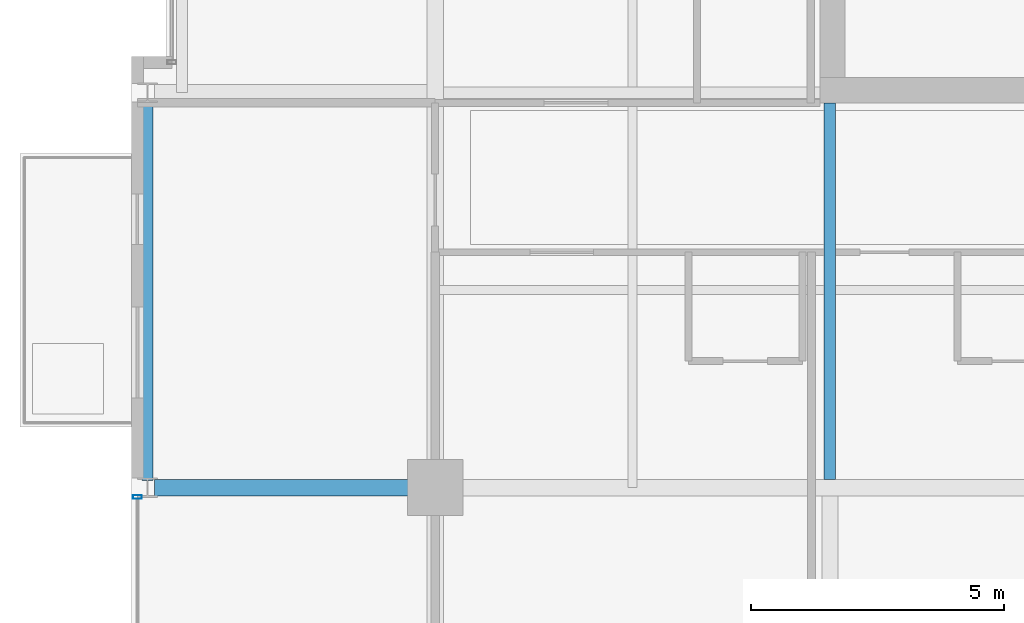
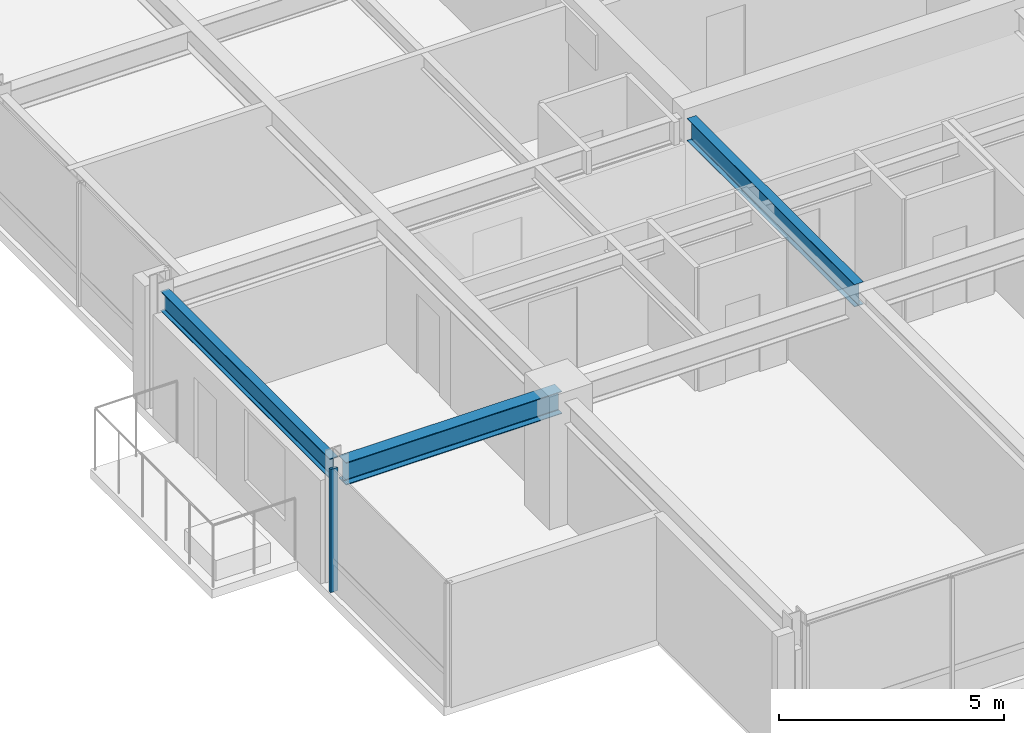
# One storey, part 4 of 31: 3 beams, 1 member, 1 element without a shape of its own.
"""IFC4 building model written with IfcOpenShell, lengths in metres."""

from ifc_helpers import new_model, si_unit, direction, frame, origin, origin_2d, place, context, subcontext, project, spatial, hollow_rectangle, i_section, extrude, material, layer, layer_set, material_profile, profile_set, type_object, element, aggregate, save


model = new_model("IFC4")

# Units and contexts
model_context = context("Model", 3, precision=1e-05, world=origin(), true_north=direction((0.0, 1.0)))
body_context = subcontext(model_context, "Body", "Model", "MODEL_VIEW")
ifc_project = project(units=[si_unit("LENGTHUNIT", "METRE"), si_unit("AREAUNIT", "SQUARE_METRE"), si_unit("VOLUMEUNIT", "CUBIC_METRE"), si_unit("PLANEANGLEUNIT", "RADIAN"), si_unit("MASSUNIT", "GRAM", prefix="KILO")], contexts=[model_context])

# Site, building, storey
site_placement = place(None, origin())
site = spatial("IfcSite", under=ifc_project, at=site_placement, CompositionType="ELEMENT")
building_placement = place(site_placement, origin())
building = spatial("IfcBuilding", under=site, at=building_placement, Name="Drelvath Grand Hotel", CompositionType="ELEMENT")
storey_placement = place(building_placement, frame((0.0, 0.0, 230.300048828125)))
storey = spatial("IfcBuildingStorey", under=building, at=storey_placement, Name="L60", CompositionType="ELEMENT", Elevation=230.300048828125)

# Curtain wall, member
ifc_material_1 = material(Name="Platinum-Mist Anodised Aluminium Frame", Category="aluminium")
ifc_layer = layer(ifc_material_1, 0.199951171875)
ifc_layer_set = layer_set([ifc_layer], Name="Platinum-Mist Anodised Aluminium Frame")
curtain_wall_type = type_object("IfcCurtainWallType", Name="Stick Curtain Wall CW-05 Platinum Mist High-Rise", PredefinedType="NOTDEFINED", material=ifc_layer_set)
curtain_wall_placement = place(storey_placement, origin())
curtain_wall = element("IfcCurtainWall", 1, at=curtain_wall_placement, inside=storey, type_object=curtain_wall_type, Name="L60 CW-05 Curtain Wall CW05-L60-WS1", PredefinedType="NOTDEFINED")
ifc_material_profile_1 = material_profile(ifc_material_1, hollow_rectangle(XDim=0.074951171875, YDim=0.179931640625, WallThickness=0.0048828125, at=origin_2d()), Name="HSS180X75X5")
ifc_profile_set_1 = profile_set([ifc_material_profile_1], Name="Platinum-Mist Anodised Aluminium Frame")
member_type = type_object("IfcMemberType", Name="Curtain Wall Vertical Mullion CW-05 HSS180X75X5", PredefinedType="MULLION", material=ifc_profile_set_1)
member_placement = place(storey_placement, frame((-22.080078125, 10.61474609375, 0.0), z_axis=(0.0, 0.0, 1.0), x_axis=(0.0, 1.0, 0.0)))
member = element("IfcMember", 2, at=member_placement, type_object=member_type, Name="CW05-L60-WS1 Mullion 2", PredefinedType="MULLION", context=body_context, shape_type="SweptSolid", body=[
    extrude(hollow_rectangle(XDim=0.074951171875, YDim=0.179931640625, WallThickness=0.0048828125, at=origin_2d()), origin(), (0.0, 0.0, 1.0), 3.33984375),
])
aggregate(curtain_wall, [member])

# Beams
ifc_material_2 = material(Name="Steel ASTM A992 Gr 50", Category="steel")
ifc_material_profile_2 = material_profile(ifc_material_2, i_section(OverallWidth=0.210205078125, OverallDepth=0.53662109375, WebThickness=0.010986328125, FlangeThickness=0.017333984375, FilletRadius=0.01806640625, at=origin_2d()), Name="W21X68")
ifc_profile_set_2 = profile_set([ifc_material_profile_2], Name="Steel ASTM A992 Gr 50")
beam_type_1 = type_object("IfcBeamType", Name="Perimeter Spandrel Beam W21X68", PredefinedType="SPANDREL", material=ifc_profile_set_2)
beam_1_placement = place(storey_placement, frame((-21.8798828125, 10.93994140625, 3.071533203125), z_axis=(0.0, 1.0, 0.0), x_axis=(-1.0, 0.0, 0.0)))
element("IfcBeam", 3, at=beam_1_placement, inside=storey, type_object=beam_type_1, Name="L60 Spandrel West S", PredefinedType="SPANDREL", context=body_context, shape_type="SweptSolid", body=[
    extrude(i_section(OverallWidth=0.210205078125, OverallDepth=0.53662109375, WebThickness=0.010986328125, FlangeThickness=0.017333984375, FilletRadius=0.01806640625, at=origin_2d()), origin(), (0.0, 0.0, 1.0), 7.52001953125),
])
ifc_material_profile_3 = material_profile(ifc_material_2, i_section(OverallWidth=0.323974609375, OverallDepth=0.611083984375, WebThickness=0.0126953125, FlangeThickness=0.01904296875, FilletRadius=0.02197265625, at=origin_2d()), Name="W24X104")
ifc_profile_set_3 = profile_set([ifc_material_profile_3], Name="Steel ASTM A992 Gr 50")
beam_type_2 = type_object("IfcBeamType", Name="Primary Floor Girder W24X104", PredefinedType="BEAM", material=ifc_profile_set_3)
beam_2_placement = place(storey_placement, frame((-21.739990234375, 10.800048828125, 3.034423828125), z_axis=(1.0, 0.0, 0.0), x_axis=(0.0, 1.0, 0.0)))
element("IfcBeam", 4, at=beam_2_placement, inside=storey, type_object=beam_type_2, Name="L60 West Grid Girder C", PredefinedType="BEAM", context=body_context, shape_type="SweptSolid", body=[
    extrude(i_section(OverallWidth=0.323974609375, OverallDepth=0.611083984375, WebThickness=0.0126953125, FlangeThickness=0.01904296875, FilletRadius=0.02197265625, at=origin_2d()), origin(), (0.0, 0.0, 1.0), 5.5400390625),
])
ifc_material_profile_4 = material_profile(ifc_material_2, i_section(OverallWidth=0.228271484375, OverallDepth=0.607666015625, WebThickness=0.01123046875, FlangeThickness=0.017333984375, FilletRadius=0.02001953125, at=origin_2d()), Name="W24X76")
ifc_profile_set_4 = profile_set([ifc_material_profile_4], Name="Steel ASTM A992 Gr 50")
beam_type_3 = type_object("IfcBeamType", Name="Primary Floor Girder W24X76", PredefinedType="BEAM", material=ifc_profile_set_4)
beam_3_placement = place(storey_placement, frame((-8.39990234375, 10.9619140625, 3.0361328125), z_axis=(0.0, 1.0, 0.0), x_axis=(-1.0, 0.0, 0.0)))
element("IfcBeam", 5, at=beam_3_placement, inside=storey, type_object=beam_type_3, Name="L60 South Core Tie 4", PredefinedType="BEAM", context=body_context, shape_type="SweptSolid", body=[
    extrude(i_section(OverallWidth=0.228271484375, OverallDepth=0.607666015625, WebThickness=0.01123046875, FlangeThickness=0.017333984375, FilletRadius=0.02001953125, at=origin_2d()), origin(), (0.0, 0.0, 1.0), 7.43798828125),
])

save(model, "model.ifc")
